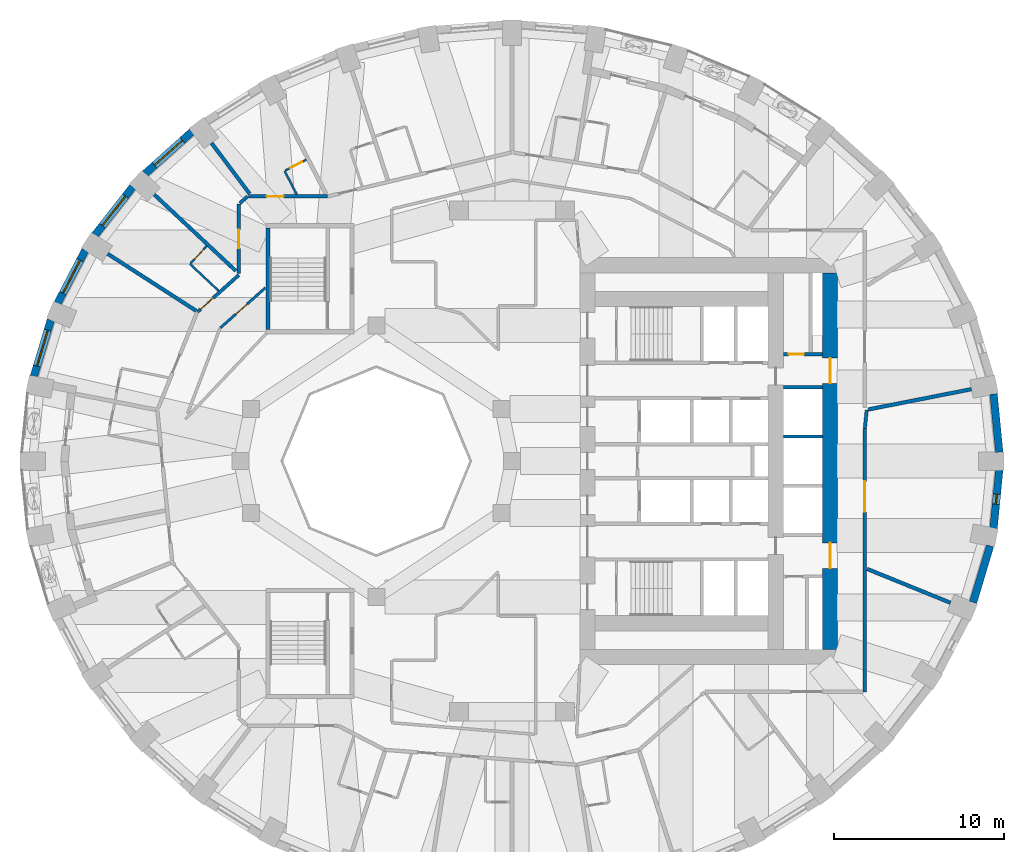
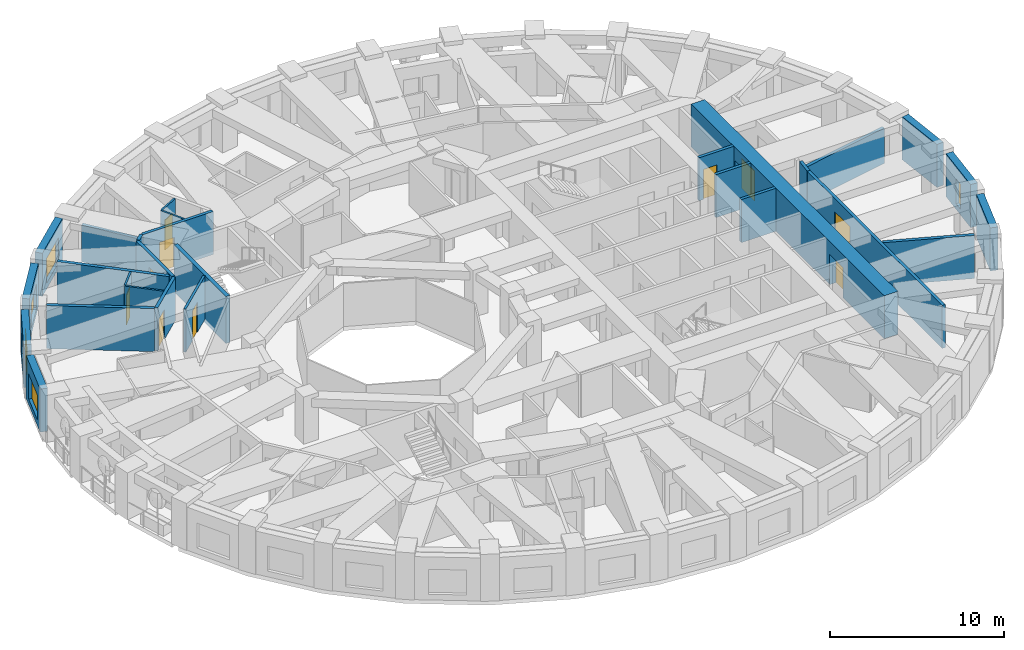
# One storey, part 7 of 13: 28 walls, 10 doors, 5 windows, 15 openings.
"""IFC4 building model written with IfcOpenShell, lengths in metres."""

from ifc_helpers import new_model, si_unit, direction, frame, frame_2d, origin, place, context, subcontext, project, spatial, rectangle, extrude, material, layer, layer_set, type_object, element, fill, save


model = new_model("IFC4")

# Units and contexts
model_context = context("Model", 3, precision=1e-05, world=origin(), true_north=direction((0.0, 1.0)))
body_context = subcontext(model_context, "Body", "Model", "MODEL_VIEW")
ifc_project = project(units=[si_unit("LENGTHUNIT", "METRE"), si_unit("AREAUNIT", "SQUARE_METRE"), si_unit("VOLUMEUNIT", "CUBIC_METRE"), si_unit("PLANEANGLEUNIT", "RADIAN"), si_unit("MASSUNIT", "GRAM", prefix="KILO")], contexts=[model_context])

# Site, building, storey
site_placement = place(None, origin())
site = spatial("IfcSite", under=ifc_project, at=site_placement, CompositionType="ELEMENT")
building_placement = place(site_placement, origin())
building = spatial("IfcBuilding", under=site, at=building_placement, Name="Taillehof Tower", CompositionType="ELEMENT")
storey_placement = place(building_placement, frame((0.0, 0.0, 67.89990234375)))
storey = spatial("IfcBuildingStorey", under=building, at=storey_placement, Name="L18", CompositionType="ELEMENT", Elevation=67.89990234375)

# Wall
ifc_material_1 = material(Name="Brick masonry", Category="masonry")
ifc_layer_1 = layer(ifc_material_1, 0.449951171875)
ifc_layer_set_1 = layer_set([ifc_layer_1], Name="Brick infill wall 450")
wall_type_1 = type_object("IfcWallType", Name="Brick infill wall 450", PredefinedType="SOLIDWALL", material=ifc_layer_set_1)
wall_1_placement = place(storey_placement, frame((28.721923828125, 0.530029296875, 0.0), z_axis=(0.0, 0.0, 1.0), x_axis=(-0.097389581596, 0.995246336038, 0.0)))
element("IfcWall", 1, at=wall_1_placement, inside=storey, type_object=wall_type_1, Name="Brick wall L18 bay 1", PredefinedType="SOLIDWALL", context=body_context, shape_type="SweptSolid", body=[
    extrude(rectangle(XDim=3.44189453125, YDim=0.449951171875, at=frame_2d((1.720947265625, 0.0))), origin(), (0.0, 0.0, 1.0), 3.02001953125),
])

# Wall, opening, window
wall_2_placement = place(storey_placement, frame((-18.87060546875, 19.406982421875, 0.0), z_axis=(0.0, 0.0, 1.0), x_axis=(-0.745526233716, -0.66647628228, 0.0)))
wall_2 = element("IfcWall", 2, at=wall_2_placement, inside=storey, type_object=wall_type_1, Name="Brick wall L18 bay 14", PredefinedType="SOLIDWALL", context=body_context, shape_type="SweptSolid", body=[
    extrude(rectangle(XDim=3.69677734375, YDim=0.449951171875, at=frame_2d((1.848388671875, 0.0))), origin(), (0.0, 0.0, 1.0), 3.02001953125),
])
opening_1_placement = place(wall_2_placement, frame((0.74853515625, 0.0, 0.39990234375)))
opening_1 = element("IfcOpeningElement", 3, at=opening_1_placement, cuts=wall_2, Name="Opening W1", PredefinedType="OPENING", context=body_context, shape_type="SweptSolid", body=[
    extrude(rectangle(XDim=2.199951171875, YDim=1.75, at=frame_2d((1.10009765625, 0.875))), frame((0.0, 0.23486328125, 0.0), z_axis=(0.0, -1.0, 0.0), x_axis=(1.0, 0.0, 0.0)), (0.0, 0.0, 1.0), 0.469970703125),
])
ifc_material_2 = material(Name="Aluminium window frame with clear double glazing", Category="aluminium")
window_type_1 = type_object("IfcWindowType", Name="Deep-set window 2200x1750", PartitioningType="SINGLE_PANEL", PredefinedType="WINDOW", material=ifc_material_2)
window_1_placement = place(opening_1_placement, origin())
window_1 = element("IfcWindow", 4, at=window_1_placement, inside=storey, type_object=window_type_1, Name="W1", OverallHeight=1.75, OverallWidth=2.199951171875, PartitioningType="SINGLE_PANEL", PredefinedType="WINDOW", context=body_context, shape_type="SweptSolid", body=[
    extrude(rectangle(XDim=2.199951171875, YDim=1.75, at=frame_2d((1.10009765625, 0.875))), frame((0.0, 0.034912109375, 0.0), z_axis=(0.0, -1.0, 0.0), x_axis=(1.0, 0.0, 0.0)), (0.0, 0.0, 1.0), 0.06005859375),
])
fill(opening_1, window_1)

wall_3_placement = place(storey_placement, frame((-22.3515625, 16.169677734375, 0.0), z_axis=(0.0, 0.0, 1.0), x_axis=(-0.616661975264, -0.787228053529, 0.0)))
wall_3 = element("IfcWall", 5, at=wall_3_placement, inside=storey, type_object=wall_type_1, Name="Brick wall L18 bay 15", PredefinedType="SOLIDWALL", context=body_context, shape_type="SweptSolid", body=[
    extrude(rectangle(XDim=3.60986328125, YDim=0.449951171875, at=frame_2d((1.804931640625, 0.0))), origin(), (0.0, 0.0, 1.0), 3.02001953125),
])
opening_2_placement = place(wall_3_placement, frame((0.704833984375, 0.0, 0.39990234375)))
opening_2 = element("IfcOpeningElement", 6, at=opening_2_placement, cuts=wall_3, Name="Opening W1", PredefinedType="OPENING", context=body_context, shape_type="SweptSolid", body=[
    extrude(rectangle(XDim=2.199951171875, YDim=1.75, at=frame_2d((1.10009765625, 0.875))), frame((0.0, 0.23486328125, 0.0), z_axis=(0.0, -1.0, 0.0), x_axis=(1.0, 0.0, 0.0)), (0.0, 0.0, 1.0), 0.469970703125),
])
window_2_placement = place(opening_2_placement, origin())
window_2 = element("IfcWindow", 7, at=window_2_placement, inside=storey, type_object=window_type_1, Name="W1", OverallHeight=1.75, OverallWidth=2.199951171875, PartitioningType="SINGLE_PANEL", PredefinedType="WINDOW", context=body_context, shape_type="SweptSolid", body=[
    extrude(rectangle(XDim=2.199951171875, YDim=1.75, at=frame_2d((1.10009765625, 0.875))), frame((0.0, 0.034912109375, 0.0), z_axis=(0.0, -1.0, 0.0), x_axis=(1.0, 0.0, 0.0)), (0.0, 0.0, 1.0), 0.06005859375),
])
fill(opening_2, window_2)

wall_4_placement = place(storey_placement, frame((-25.152099609375, 12.436767578125, 0.0), z_axis=(0.0, 0.0, 1.0), x_axis=(-0.462492775226, -0.886623050041, 0.0)))
wall_4 = element("IfcWall", 8, at=wall_4_placement, inside=storey, type_object=wall_type_1, Name="Brick wall L18 bay 16", PredefinedType="SOLIDWALL", context=body_context, shape_type="SweptSolid", body=[
    extrude(rectangle(XDim=3.531982421875, YDim=0.449951171875, at=frame_2d((1.76611328125, 0.0))), origin(), (0.0, 0.0, 1.0), 3.02001953125),
])
opening_3_placement = place(wall_4_placement, frame((0.666015625, 0.0, 0.39990234375)))
opening_3 = element("IfcOpeningElement", 9, at=opening_3_placement, cuts=wall_4, Name="Opening W1", PredefinedType="OPENING", context=body_context, shape_type="SweptSolid", body=[
    extrude(rectangle(XDim=2.199951171875, YDim=1.75, at=frame_2d((1.10009765625, 0.875))), frame((0.0, 0.23486328125, 0.0), z_axis=(0.0, -1.0, 0.0), x_axis=(1.0, 0.0, 0.0)), (0.0, 0.0, 1.0), 0.469970703125),
])
window_3_placement = place(opening_3_placement, origin())
window_3 = element("IfcWindow", 10, at=window_3_placement, inside=storey, type_object=window_type_1, Name="W1", OverallHeight=1.75, OverallWidth=2.199951171875, PartitioningType="SINGLE_PANEL", PredefinedType="WINDOW", context=body_context, shape_type="SweptSolid", body=[
    extrude(rectangle(XDim=2.199951171875, YDim=1.75, at=frame_2d((1.10009765625, 0.875))), frame((0.0, 0.034912109375, 0.0), z_axis=(0.0, -1.0, 0.0), x_axis=(1.0, 0.0, 0.0)), (0.0, 0.0, 1.0), 0.06005859375),
])
fill(opening_3, window_3)

wall_5_placement = place(storey_placement, frame((-27.184814453125, 8.322998046875, 0.0), z_axis=(0.0, 0.0, 1.0), x_axis=(-0.287064133733, -0.957911364963, 0.0)))
wall_5 = element("IfcWall", 11, at=wall_5_placement, inside=storey, type_object=wall_type_1, Name="Brick wall L18 bay 17", PredefinedType="SOLIDWALL", context=body_context, shape_type="SweptSolid", body=[
    extrude(rectangle(XDim=3.473388671875, YDim=0.449951171875, at=frame_2d((1.73681640625, 0.0))), origin(), (0.0, 0.0, 1.0), 3.02001953125),
])
opening_4_placement = place(wall_5_placement, frame((0.63671875, 0.0, 0.39990234375)))
opening_4 = element("IfcOpeningElement", 12, at=opening_4_placement, cuts=wall_5, Name="Opening W1", PredefinedType="OPENING", context=body_context, shape_type="SweptSolid", body=[
    extrude(rectangle(XDim=2.199951171875, YDim=1.75, at=frame_2d((1.10009765625, 0.875))), frame((0.0, 0.23486328125, 0.0), z_axis=(0.0, -1.0, 0.0), x_axis=(1.0, 0.0, 0.0)), (0.0, 0.0, 1.0), 0.469970703125),
])
window_4_placement = place(opening_4_placement, origin())
window_4 = element("IfcWindow", 13, at=window_4_placement, inside=storey, type_object=window_type_1, Name="W1", OverallHeight=1.75, OverallWidth=2.199951171875, PartitioningType="SINGLE_PANEL", PredefinedType="WINDOW", context=body_context, shape_type="SweptSolid", body=[
    extrude(rectangle(XDim=2.199951171875, YDim=1.75, at=frame_2d((1.10009765625, 0.875))), frame((0.0, 0.034912109375, 0.0), z_axis=(0.0, -1.0, 0.0), x_axis=(1.0, 0.0, 0.0)), (0.0, 0.0, 1.0), 0.06005859375),
])
fill(opening_4, window_4)

# Wall
wall_6_placement = place(storey_placement, frame((27.184814453125, -8.322998046875, 0.0), z_axis=(0.0, 0.0, 1.0), x_axis=(0.287064133733, 0.957911364963, 0.0)))
element("IfcWall", 14, at=wall_6_placement, inside=storey, type_object=wall_type_1, Name="Brick wall L18 bay 35", PredefinedType="SOLIDWALL", context=body_context, shape_type="SweptSolid", body=[
    extrude(rectangle(XDim=3.473388671875, YDim=0.449951171875, at=frame_2d((1.73681640625, 0.0))), origin(), (0.0, 0.0, 1.0), 3.02001953125),
])

# Wall, opening, window
wall_7_placement = place(storey_placement, frame((28.38671875, -3.95556640625, 0.0), z_axis=(0.0, 0.0, 1.0), x_axis=(0.097389581596, 0.995246336038, 0.0)))
wall_7 = element("IfcWall", 15, at=wall_7_placement, inside=storey, type_object=wall_type_1, Name="Brick wall L18 bay 36", PredefinedType="SOLIDWALL", context=body_context, shape_type="SweptSolid", body=[
    extrude(rectangle(XDim=3.44189453125, YDim=0.449951171875, at=frame_2d((1.720947265625, 0.0))), origin(), (0.0, 0.0, 1.0), 3.02001953125),
])
opening_5_placement = place(wall_7_placement, frame((1.4208984375, 0.0, 0.39990234375)))
opening_5 = element("IfcOpeningElement", 16, at=opening_5_placement, cuts=wall_7, Name="Opening W6", PredefinedType="OPENING", context=body_context, shape_type="SweptSolid", body=[
    extrude(rectangle(XDim=0.60009765625, YDim=1.75, at=frame_2d((0.300048828125, 0.875))), frame((0.0, 0.23486328125, 0.0), z_axis=(0.0, -1.0, 0.0), x_axis=(1.0, 0.0, 0.0)), (0.0, 0.0, 1.0), 0.469970703125),
])
ifc_material_3 = material(Name="Aluminium window frame with clear double glazing", Category="aluminium")
window_type_2 = type_object("IfcWindowType", Name="Slot window 600x1750", PartitioningType="SINGLE_PANEL", PredefinedType="WINDOW", material=ifc_material_3)
window_5_placement = place(opening_5_placement, origin())
window_5 = element("IfcWindow", 17, at=window_5_placement, inside=storey, type_object=window_type_2, Name="W6", OverallHeight=1.75, OverallWidth=0.60009765625, PartitioningType="SINGLE_PANEL", PredefinedType="WINDOW", context=body_context, shape_type="SweptSolid", body=[
    extrude(rectangle(XDim=0.60009765625, YDim=1.75, at=frame_2d((0.300048828125, 0.875))), frame((0.0, 0.034912109375, 0.0), z_axis=(0.0, -1.0, 0.0), x_axis=(1.0, 0.0, 0.0)), (0.0, 0.0, 1.0), 0.06005859375),
])
fill(opening_5, window_5)

# Wall, opening, door
ifc_material_4 = material(Name="Calcium silicate masonry", Category="masonry")
ifc_layer_2 = layer(ifc_material_4, 0.199951171875)
ifc_layer_set_2 = layer_set([ifc_layer_2], Name="Compartment wall calcium silicate 200")
wall_type_2 = type_object("IfcWallType", Name="Compartment wall calcium silicate 200", PredefinedType="PARTITIONING", material=ifc_layer_set_2)
wall_8_placement = place(storey_placement, frame((16.0, 6.300048828125, 0.0), z_axis=(0.0, 0.0, 1.0), x_axis=(1.0, 0.0, 0.0)))
wall_8 = element("IfcWall", 18, at=wall_8_placement, inside=storey, type_object=wall_type_2, Name="Compartment wall FW", PredefinedType="PARTITIONING", context=body_context, shape_type="SweptSolid", body=[
    extrude(rectangle(XDim=2.300048828125, YDim=0.199951171875, at=frame_2d((1.14990234375, 0.0))), origin(), (0.0, 0.0, 1.0), 3.02001953125),
])
opening_6_placement = place(wall_8_placement, frame((0.300048828125, 0.0, 0.0)))
opening_6 = element("IfcOpeningElement", 19, at=opening_6_placement, cuts=wall_8, Name="Opening D1816", PredefinedType="OPENING", context=body_context, shape_type="SweptSolid", body=[
    extrude(rectangle(XDim=0.89990234375, YDim=2.10009765625, at=frame_2d((0.449951171875, 1.050048828125))), frame((0.0, 0.10986328125, 0.0), z_axis=(0.0, -1.0, 0.0), x_axis=(1.0, 0.0, 0.0)), (0.0, 0.0, 1.0), 0.219970703125),
])
ifc_material_5 = material(Name="Steel-faced fire door", Category="steel")
door_type_1 = type_object("IfcDoorType", Name="Riser and service room door 900x2100", OperationType="SINGLE_SWING_LEFT", PredefinedType="DOOR", material=ifc_material_5)
door_1_placement = place(opening_6_placement, origin())
door_1 = element("IfcDoor", 20, at=door_1_placement, inside=storey, type_object=door_type_1, Name="Door Pump Room", OperationType="SINGLE_SWING_RIGHT", OverallHeight=2.10009765625, OverallWidth=0.89990234375, PredefinedType="DOOR", context=body_context, shape_type="SweptSolid", body=[
    extrude(rectangle(XDim=0.89990234375, YDim=2.10009765625, at=frame_2d((0.449951171875, 1.050048828125))), frame((0.0, 0.02490234375, 0.0), z_axis=(0.0, -1.0, 0.0), x_axis=(1.0, 0.0, 0.0)), (0.0, 0.0, 1.0), 0.050048828125),
])
fill(opening_6, door_1)

# Wall
ifc_material_6 = material(Name="Gypsum board on steel studs, two layers each side", Category="steel")
ifc_layer_3 = layer(ifc_material_6, 0.199951171875)
ifc_layer_set_3 = layer_set([ifc_layer_3], Name="Compartment wall corridor 200")
wall_type_3 = type_object("IfcWallType", Name="Compartment wall corridor 200", PredefinedType="PARTITIONING", material=ifc_layer_set_3)
wall_9_placement = place(storey_placement, frame((20.906005859375, 3.009521484375, 0.0), z_axis=(0.0, 0.0, 1.0), x_axis=(-0.09782971129, -0.995203169001, 0.0)))
element("IfcWall", 21, at=wall_9_placement, inside=storey, type_object=wall_type_3, Name="Compartment wall", PredefinedType="PARTITIONING", context=body_context, shape_type="SweptSolid", body=[
    extrude(rectangle(XDim=1.0830078125, YDim=0.199951171875, at=frame_2d((0.54150390625, 0.0))), origin(), (0.0, 0.0, 1.0), 3.02001953125),
])

# Wall, opening, door
wall_10_placement = place(storey_placement, frame((20.800048828125, 1.91162109375, 0.0), z_axis=(0.0, 0.0, 1.0), x_axis=(0.0, -1.0, 0.0)))
wall_10 = element("IfcWall", 22, at=wall_10_placement, inside=storey, type_object=wall_type_3, Name="Compartment wall", PredefinedType="PARTITIONING", context=body_context, shape_type="SweptSolid", body=[
    extrude(rectangle(XDim=15.51171875, YDim=0.199951171875, at=frame_2d((7.755859375, 0.0))), origin(), (0.0, 0.0, 1.0), 3.02001953125),
])
opening_7_placement = place(wall_10_placement, frame((3.109619140625, 0.0, 0.0)))
opening_7 = element("IfcOpeningElement", 23, at=opening_7_placement, cuts=wall_10, Name="Opening D1876", PredefinedType="OPENING", context=body_context, shape_type="SweptSolid", body=[
    extrude(rectangle(XDim=1.800048828125, YDim=2.10009765625, at=frame_2d((0.89990234375, 1.050048828125))), frame((0.0, 0.10986328125, 0.0), z_axis=(0.0, -1.0, 0.0), x_axis=(1.0, 0.0, 0.0)), (0.0, 0.0, 1.0), 0.219970703125),
])
ifc_material_7 = material(Name="Timber door leaf in steel frame", Category="steel")
door_type_2 = type_object("IfcDoorType", Name="Lounge and meeting room double door EI 30 1800 x 2100", OperationType="SINGLE_SWING_LEFT", PredefinedType="DOOR", material=ifc_material_7)
door_2_placement = place(opening_7_placement, origin())
door_2 = element("IfcDoor", 24, at=door_2_placement, inside=storey, type_object=door_type_2, Name="D1876", OperationType="DOUBLE_DOOR_SINGLE_SWING", OverallHeight=2.10009765625, OverallWidth=1.800048828125, PredefinedType="DOOR", context=body_context, shape_type="SweptSolid", body=[
    extrude(rectangle(XDim=1.800048828125, YDim=2.10009765625, at=frame_2d((0.89990234375, 1.050048828125))), frame((0.0, 0.02490234375, 0.0), z_axis=(0.0, -1.0, 0.0), x_axis=(1.0, 0.0, 0.0)), (0.0, 0.0, 1.0), 0.050048828125),
])
fill(opening_7, door_2)

wall_11_placement = place(storey_placement, frame((-18.527099609375, 8.8037109375, 0.0), z_axis=(0.0, 0.0, 1.0), x_axis=(0.746493000154, 0.665393267716, 0.0)))
wall_11 = element("IfcWall", 25, at=wall_11_placement, inside=storey, type_object=wall_type_3, Name="Compartment wall", PredefinedType="PARTITIONING", context=body_context, shape_type="SweptSolid", body=[
    extrude(rectangle(XDim=3.251220703125, YDim=0.199951171875, at=frame_2d((1.62548828125, 0.0))), origin(), (0.0, 0.0, 1.0), 3.02001953125),
])
opening_8_placement = place(wall_11_placement, frame((0.219970703125, 0.0, 0.0)))
opening_8 = element("IfcOpeningElement", 26, at=opening_8_placement, cuts=wall_11, Name="Opening D1853", PredefinedType="OPENING", context=body_context, shape_type="SweptSolid", body=[
    extrude(rectangle(XDim=1.0, YDim=2.10009765625, at=frame_2d((0.5, 1.050048828125))), frame((0.0, 0.10986328125, 0.0), z_axis=(0.0, -1.0, 0.0), x_axis=(1.0, 0.0, 0.0)), (0.0, 0.0, 1.0), 0.219970703125),
])
ifc_material_8 = material(Name="Timber door leaf in steel frame", Category="steel")
door_type_3 = type_object("IfcDoorType", Name="Guest room door EI 30 1000 x 2100", OperationType="SINGLE_SWING_LEFT", PredefinedType="DOOR", material=ifc_material_8)
door_3_placement = place(opening_8_placement, origin())
door_3 = element("IfcDoor", 27, at=door_3_placement, inside=storey, type_object=door_type_3, Name="D1853", OperationType="SINGLE_SWING_LEFT", OverallHeight=2.10009765625, OverallWidth=1.0, PredefinedType="DOOR", context=body_context, shape_type="SweptSolid", body=[
    extrude(rectangle(XDim=1.0, YDim=2.10009765625, at=frame_2d((0.5, 1.050048828125))), frame((0.0, 0.02490234375, 0.0), z_axis=(0.0, -1.0, 0.0), x_axis=(1.0, 0.0, 0.0)), (0.0, 0.0, 1.0), 0.050048828125),
])
fill(opening_8, door_3)

wall_12_placement = place(storey_placement, frame((-16.10009765625, 11.047119140625, 0.0), z_axis=(0.0, 0.0, 1.0), x_axis=(0.0, 1.0, 0.0)))
wall_12 = element("IfcWall", 28, at=wall_12_placement, inside=storey, type_object=wall_type_3, Name="Compartment wall", PredefinedType="PARTITIONING", context=body_context, shape_type="SweptSolid", body=[
    extrude(rectangle(XDim=4.096923828125, YDim=0.199951171875, at=frame_2d((2.04833984375, 0.0))), origin(), (0.0, 0.0, 1.0), 3.02001953125),
])
opening_9_placement = place(wall_12_placement, frame((1.49853515625, 0.0, 0.0)))
opening_9 = element("IfcOpeningElement", 29, at=opening_9_placement, cuts=wall_12, Name="Opening D1852", PredefinedType="OPENING", context=body_context, shape_type="SweptSolid", body=[
    extrude(rectangle(XDim=1.10009765625, YDim=2.10009765625, at=frame_2d((0.550048828125, 1.050048828125))), frame((0.0, 0.10986328125, 0.0), z_axis=(0.0, -1.0, 0.0), x_axis=(1.0, 0.0, 0.0)), (0.0, 0.0, 1.0), 0.219970703125),
])
ifc_material_9 = material(Name="Timber door leaf in steel frame", Category="steel")
door_type_4 = type_object("IfcDoorType", Name="Suite entrance door EI 30 1100 x 2100", OperationType="SINGLE_SWING_LEFT", PredefinedType="DOOR", material=ifc_material_9)
door_4_placement = place(opening_9_placement, origin())
door_4 = element("IfcDoor", 30, at=door_4_placement, inside=storey, type_object=door_type_4, Name="D1852", OperationType="SINGLE_SWING_LEFT", OverallHeight=2.10009765625, OverallWidth=1.10009765625, PredefinedType="DOOR", context=body_context, shape_type="SweptSolid", body=[
    extrude(rectangle(XDim=1.10009765625, YDim=2.10009765625, at=frame_2d((0.550048828125, 1.050048828125))), frame((0.0, 0.02490234375, 0.0), z_axis=(0.0, -1.0, 0.0), x_axis=(1.0, 0.0, 0.0)), (0.0, 0.0, 1.0), 0.050048828125),
])
fill(opening_9, door_4)

# Wall
wall_13_placement = place(storey_placement, frame((-16.04052734375, 15.19775390625, 0.0), z_axis=(0.0, 0.0, 1.0), x_axis=(0.744722115519, 0.667374685359, 0.0)))
element("IfcWall", 31, at=wall_13_placement, inside=storey, type_object=wall_type_3, Name="Compartment wall", PredefinedType="PARTITIONING", context=body_context, shape_type="SweptSolid", body=[
    extrude(rectangle(XDim=0.602783203125, YDim=0.199951171875, at=frame_2d((0.30126953125, 0.0))), origin(), (0.0, 0.0, 1.0), 3.02001953125),
])

# Wall, opening, door
wall_14_placement = place(storey_placement, frame((-15.531494140625, 15.60009765625, 0.0), z_axis=(0.0, 0.0, 1.0), x_axis=(1.0, 0.0, 0.0)))
wall_14 = element("IfcWall", 32, at=wall_14_placement, inside=storey, type_object=wall_type_3, Name="Compartment wall", PredefinedType="PARTITIONING", context=body_context, shape_type="SweptSolid", body=[
    extrude(rectangle(XDim=4.660400390625, YDim=0.199951171875, at=frame_2d((2.330078125, 0.0))), origin(), (0.0, 0.0, 1.0), 3.02001953125),
])
opening_10_placement = place(wall_14_placement, frame((1.07421875, 0.0, 0.0)))
opening_10 = element("IfcOpeningElement", 33, at=opening_10_placement, cuts=wall_14, Name="Opening D1850", PredefinedType="OPENING", context=body_context, shape_type="SweptSolid", body=[
    extrude(rectangle(XDim=1.0, YDim=2.10009765625, at=frame_2d((0.5, 1.050048828125))), frame((0.0, 0.10986328125, 0.0), z_axis=(0.0, -1.0, 0.0), x_axis=(1.0, 0.0, 0.0)), (0.0, 0.0, 1.0), 0.219970703125),
])
door_5_placement = place(opening_10_placement, origin())
door_5 = element("IfcDoor", 34, at=door_5_placement, inside=storey, type_object=door_type_3, Name="D1850", OperationType="SINGLE_SWING_RIGHT", OverallHeight=2.10009765625, OverallWidth=1.0, PredefinedType="DOOR", context=body_context, shape_type="SweptSolid", body=[
    extrude(rectangle(XDim=1.0, YDim=2.10009765625, at=frame_2d((0.5, 1.050048828125))), frame((0.0, 0.02490234375, 0.0), z_axis=(0.0, -1.0, 0.0), x_axis=(1.0, 0.0, 0.0)), (0.0, 0.0, 1.0), 0.050048828125),
])
fill(opening_10, door_5)

# Walls
ifc_material_10 = material(Name="Gypsum board on double steel studs with mineral wool", Category="steel")
ifc_layer_4 = layer(ifc_material_10, 0.219970703125)
ifc_layer_set_4 = layer_set([ifc_layer_4], Name="Compartment wall guest room 220")
wall_type_4 = type_object("IfcWallType", Name="Compartment wall guest room 220", PredefinedType="PARTITIONING", material=ifc_layer_set_4)
wall_15_placement = place(storey_placement, frame((27.0849609375, 4.239990234375, 0.0), z_axis=(0.0, 0.0, 1.0), x_axis=(-0.981208260902, -0.192951674616, 0.0)))
element("IfcWall", 35, at=wall_15_placement, inside=storey, type_object=wall_type_4, Name="Compartment wall", PredefinedType="PARTITIONING", context=body_context, shape_type="SweptSolid", body=[
    extrude(rectangle(XDim=6.203857421875, YDim=0.219970703125, at=frame_2d((3.10205078125, 0.0))), origin(), (0.0, 0.0, 1.0), 2.47021484375),
])
wall_16_placement = place(storey_placement, frame((-17.707763671875, 18.7431640625, 0.0), z_axis=(0.0, 0.0, 1.0), x_axis=(0.601172757903, -0.799119086967, 0.0)))
element("IfcWall", 36, at=wall_16_placement, inside=storey, type_object=wall_type_4, Name="Compartment wall", PredefinedType="PARTITIONING", context=body_context, shape_type="SweptSolid", body=[
    extrude(rectangle(XDim=3.728515625, YDim=0.219970703125, at=frame_2d((1.8642578125, 0.0))), origin(), (0.0, 0.0, 1.0), 2.570068359375),
])
wall_17_placement = place(storey_placement, frame((-21.09326171875, 15.7177734375, 0.0), z_axis=(0.0, 0.0, 1.0), x_axis=(0.73009284205, -0.683347965525, 0.0)))
element("IfcWall", 37, at=wall_17_placement, inside=storey, type_object=wall_type_4, Name="Compartment wall", PredefinedType="PARTITIONING", context=body_context, shape_type="SweptSolid", body=[
    extrude(rectangle(XDim=6.6015625, YDim=0.219970703125, at=frame_2d((3.30078125, 0.0))), origin(), (0.0, 0.0, 1.0), 3.02001953125),
])
wall_18_placement = place(storey_placement, frame((-23.834716796875, 12.218994140625, 0.0), z_axis=(0.0, 0.0, 1.0), x_axis=(0.840743714791, -0.541433288633, 0.0)))
element("IfcWall", 38, at=wall_18_placement, inside=storey, type_object=wall_type_4, Name="Compartment wall", PredefinedType="PARTITIONING", context=body_context, shape_type="SweptSolid", body=[
    extrude(rectangle(XDim=6.207275390625, YDim=0.219970703125, at=frame_2d((3.103515625, 0.0))), origin(), (0.0, 0.0, 1.0), 3.02001953125),
])
wall_19_placement = place(storey_placement, frame((25.851318359375, -8.35400390625, 0.0), z_axis=(0.0, 0.0, 1.0), x_axis=(-0.926546814299, 0.376179479653, 0.0)))
element("IfcWall", 39, at=wall_19_placement, inside=storey, type_object=wall_type_4, Name="Compartment wall", PredefinedType="PARTITIONING", context=body_context, shape_type="SweptSolid", body=[
    extrude(rectangle(XDim=5.3037109375, YDim=0.219970703125, at=frame_2d((2.65185546875, 0.0))), origin(), (0.0, 0.0, 1.0), 3.02001953125),
])

# Wall, opening, door
ifc_material_11 = material(Name="Gypsum board on steel studs, two layers each side", Category="steel")
ifc_layer_5 = layer(ifc_material_11, 0.14990234375)
ifc_layer_set_5 = layer_set([ifc_layer_5], Name="Compartment wall service room 150")
wall_type_5 = type_object("IfcWallType", Name="Compartment wall service room 150", PredefinedType="PARTITIONING", material=ifc_layer_set_5)
wall_20_placement = place(storey_placement, frame((-17.185302734375, 7.8564453125, 0.0), z_axis=(0.0, 0.0, 1.0), x_axis=(0.746480516634, 0.665407272493, 0.0)))
wall_20 = element("IfcWall", 40, at=wall_20_placement, inside=storey, type_object=wall_type_5, Name="Compartment wall", PredefinedType="PARTITIONING", context=body_context, shape_type="SweptSolid", body=[
    extrude(rectangle(XDim=3.541259765625, YDim=0.14990234375, at=frame_2d((1.7705078125, 0.0))), origin(), (0.0, 0.0, 1.0), 3.02001953125),
])
opening_11_placement = place(wall_20_placement, frame((1.220703125, 0.0, 0.0)))
opening_11 = element("IfcOpeningElement", 41, at=opening_11_placement, cuts=wall_20, Name="Opening D1880", PredefinedType="OPENING", context=body_context, shape_type="SweptSolid", body=[
    extrude(rectangle(XDim=0.89990234375, YDim=2.10009765625, at=frame_2d((0.449951171875, 1.050048828125))), frame((0.0, 0.0849609375, 0.0), z_axis=(0.0, -1.0, 0.0), x_axis=(1.0, 0.0, 0.0)), (0.0, 0.0, 1.0), 0.169921875),
])
ifc_material_12 = material(Name="Timber door leaf in steel frame", Category="steel")
door_type_5 = type_object("IfcDoorType", Name="Service room door EI 30 900 x 2100", OperationType="SINGLE_SWING_LEFT", PredefinedType="DOOR", material=ifc_material_12)
door_6_placement = place(opening_11_placement, origin())
door_6 = element("IfcDoor", 42, at=door_6_placement, inside=storey, type_object=door_type_5, Name="D1880", OperationType="SINGLE_SWING_RIGHT", OverallHeight=2.10009765625, OverallWidth=0.89990234375, PredefinedType="DOOR", context=body_context, shape_type="SweptSolid", body=[
    extrude(rectangle(XDim=0.89990234375, YDim=2.10009765625, at=frame_2d((0.449951171875, 1.050048828125))), frame((0.0, 0.02490234375, 0.0), z_axis=(0.0, -1.0, 0.0), x_axis=(1.0, 0.0, 0.0)), (0.0, 0.0, 1.0), 0.050048828125),
])
fill(opening_11, door_6)

# Wall, openings, doors
ifc_material_13 = material(Name="Concrete C80/95", Category="concrete")
ifc_layer_6 = layer(ifc_material_13, 0.89990234375)
ifc_layer_set_6 = layer_set([ifc_layer_6], Name="Core wall C80/95 900")
wall_type_6 = type_object("IfcWallType", Name="Core wall C80/95 900", PredefinedType="SHEAR", material=ifc_layer_set_6)
wall_21_placement = place(storey_placement, frame((18.75, -11.10009765625, 0.0), z_axis=(0.0, 0.0, 1.0), x_axis=(0.0, 1.0, 0.0)))
wall_21 = element("IfcWall", 43, at=wall_21_placement, inside=storey, type_object=wall_type_6, Name="Core wall CW02", PredefinedType="SHEAR", context=body_context, shape_type="SweptSolid", body=[
    extrude(rectangle(XDim=22.2001953125, YDim=0.89990234375, at=frame_2d((11.10009765625, 0.0))), origin(), (0.0, 0.0, 1.0), 3.02001953125),
])
opening_12_placement = place(wall_21_placement, frame((15.675048828125, 0.0, 0.0)))
opening_12 = element("IfcOpeningElement", 44, at=opening_12_placement, cuts=wall_21, Name="Opening D1808", PredefinedType="OPENING", context=body_context, shape_type="SweptSolid", body=[
    extrude(rectangle(XDim=1.5, YDim=2.10009765625, at=frame_2d((0.75, 1.050048828125))), frame((0.0, 0.4599609375, 0.0), z_axis=(0.0, -1.0, 0.0), x_axis=(1.0, 0.0, 0.0)), (0.0, 0.0, 1.0), 0.919921875),
])
opening_13_placement = place(wall_21_placement, frame((4.77490234375, 0.0, 0.0)))
opening_13 = element("IfcOpeningElement", 45, at=opening_13_placement, cuts=wall_21, Name="Opening D1809", PredefinedType="OPENING", context=body_context, shape_type="SweptSolid", body=[
    extrude(rectangle(XDim=1.5, YDim=2.10009765625, at=frame_2d((0.75, 1.050048828125))), frame((0.0, 0.4599609375, 0.0), z_axis=(0.0, -1.0, 0.0), x_axis=(1.0, 0.0, 0.0)), (0.0, 0.0, 1.0), 0.919921875),
])
ifc_material_14 = material(Name="Steel-faced fire door", Category="steel")
door_type_6 = type_object("IfcDoorType", Name="Lift lobby east door 1500x2100", OperationType="DOUBLE_DOOR_SINGLE_SWING", PredefinedType="DOOR", material=ifc_material_14)
door_7_placement = place(opening_12_placement, origin())
door_7 = element("IfcDoor", 46, at=door_7_placement, inside=storey, type_object=door_type_6, Name="Lift lobby east door north", OperationType="DOUBLE_DOOR_SINGLE_SWING", OverallHeight=2.10009765625, OverallWidth=1.5, PredefinedType="DOOR", context=body_context, shape_type="SweptSolid", body=[
    extrude(rectangle(XDim=1.5, YDim=2.10009765625, at=frame_2d((0.75, 1.050048828125))), frame((0.0, 0.02490234375, 0.0), z_axis=(0.0, -1.0, 0.0), x_axis=(1.0, 0.0, 0.0)), (0.0, 0.0, 1.0), 0.050048828125),
])
fill(opening_12, door_7)
door_8_placement = place(opening_13_placement, origin())
door_8 = element("IfcDoor", 47, at=door_8_placement, inside=storey, type_object=door_type_6, Name="Lift lobby east door south", OperationType="DOUBLE_DOOR_SINGLE_SWING", OverallHeight=2.10009765625, OverallWidth=1.5, PredefinedType="DOOR", context=body_context, shape_type="SweptSolid", body=[
    extrude(rectangle(XDim=1.5, YDim=2.10009765625, at=frame_2d((0.75, 1.050048828125))), frame((0.0, 0.02490234375, 0.0), z_axis=(0.0, -1.0, 0.0), x_axis=(1.0, 0.0, 0.0)), (0.0, 0.0, 1.0), 0.050048828125),
])
fill(opening_13, door_8)

# Walls
ifc_material_15 = material(Name="Gypsum board on steel studs, moisture resistant", Category="steel")
ifc_layer_7 = layer(ifc_material_15, 0.1201171875)
ifc_layer_set_7 = layer_set([ifc_layer_7], Name="En-suite wall 120")
wall_type_7 = type_object("IfcWallType", Name="En-suite wall 120", PredefinedType="PARTITIONING", material=ifc_layer_set_7)
wall_22_placement = place(storey_placement, frame((-12.687255859375, 15.718017578125, 0.0), z_axis=(0.0, 0.0, 1.0), x_axis=(-0.459775159711, 0.888035361071, 0.0)))
element("IfcWall", 48, at=wall_22_placement, inside=storey, type_object=wall_type_7, Name="En-suite wall", PredefinedType="PARTITIONING", context=body_context, shape_type="SweptSolid", body=[
    extrude(rectangle(XDim=1.56494140625, YDim=0.1201171875, at=frame_2d((0.782470703125, 0.0))), origin(), (0.0, 0.0, 1.0), 3.02001953125),
])
wall_23_placement = place(storey_placement, frame((-17.292724609375, 10.037841796875, 0.0), z_axis=(0.0, 0.0, 1.0), x_axis=(-0.730059424734, 0.683383667026, 0.0)))
element("IfcWall", 49, at=wall_23_placement, inside=storey, type_object=wall_type_7, Name="En-suite wall", PredefinedType="PARTITIONING", context=body_context, shape_type="SweptSolid", body=[
    extrude(rectangle(XDim=2.317138671875, YDim=0.1201171875, at=frame_2d((1.15869140625, 0.0))), origin(), (0.0, 0.0, 1.0), 3.02001953125),
])

# Wall, opening, door
wall_24_placement = place(storey_placement, frame((-13.353271484375, 17.135498046875, 0.0), z_axis=(0.0, 0.0, 1.0), x_axis=(0.888075681402, 0.459697274413, 0.0)))
wall_24 = element("IfcWall", 50, at=wall_24_placement, inside=storey, type_object=wall_type_7, Name="En-suite wall", PredefinedType="PARTITIONING", context=body_context, shape_type="SweptSolid", body=[
    extrude(rectangle(XDim=1.3798828125, YDim=0.1201171875, at=frame_2d((0.68994140625, 0.0))), origin(), (0.0, 0.0, 1.0), 3.02001953125),
])
opening_14_placement = place(wall_24_placement, frame((0.314697265625, 0.0, 0.0)))
opening_14 = element("IfcOpeningElement", 51, at=opening_14_placement, cuts=wall_24, Name="Opening D1851", PredefinedType="OPENING", context=body_context, shape_type="SweptSolid", body=[
    extrude(rectangle(XDim=0.800048828125, YDim=2.10009765625, at=frame_2d((0.39990234375, 1.050048828125))), frame((0.0, 0.070068359375, 0.0), z_axis=(0.0, -1.0, 0.0), x_axis=(1.0, 0.0, 0.0)), (0.0, 0.0, 1.0), 0.14013671875),
])
ifc_material_16 = material(Name="Timber door leaf in steel frame", Category="steel")
door_type_7 = type_object("IfcDoorType", Name="En-suite door 800 x 2100", OperationType="SINGLE_SWING_LEFT", PredefinedType="DOOR", material=ifc_material_16)
door_9_placement = place(opening_14_placement, origin())
door_9 = element("IfcDoor", 52, at=door_9_placement, inside=storey, type_object=door_type_7, Name="D1851", OperationType="SINGLE_SWING_RIGHT", OverallHeight=2.10009765625, OverallWidth=0.800048828125, PredefinedType="DOOR", context=body_context, shape_type="SweptSolid", body=[
    extrude(rectangle(XDim=0.800048828125, YDim=2.10009765625, at=frame_2d((0.39990234375, 1.050048828125))), frame((0.0, 0.02490234375, 0.0), z_axis=(0.0, -1.0, 0.0), x_axis=(1.0, 0.0, 0.0)), (0.0, 0.0, 1.0), 0.050048828125),
])
fill(opening_14, door_9)

wall_25_placement = place(storey_placement, frame((-18.943359375, 11.665283203125, 0.0), z_axis=(0.0, 0.0, 1.0), x_axis=(0.683364094355, 0.730077745549, 0.0)))
wall_25 = element("IfcWall", 53, at=wall_25_placement, inside=storey, type_object=wall_type_7, Name="En-suite wall", PredefinedType="PARTITIONING", context=body_context, shape_type="SweptSolid", body=[
    extrude(rectangle(XDim=1.379638671875, YDim=0.1201171875, at=frame_2d((0.68994140625, 0.0))), origin(), (0.0, 0.0, 1.0), 3.02001953125),
])
opening_15_placement = place(wall_25_placement, frame((0.31494140625, 0.0, 0.0)))
opening_15 = element("IfcOpeningElement", 54, at=opening_15_placement, cuts=wall_25, Name="Opening D1854", PredefinedType="OPENING", context=body_context, shape_type="SweptSolid", body=[
    extrude(rectangle(XDim=0.800048828125, YDim=2.10009765625, at=frame_2d((0.39990234375, 1.050048828125))), frame((0.0, 0.070068359375, 0.0), z_axis=(0.0, -1.0, 0.0), x_axis=(1.0, 0.0, 0.0)), (0.0, 0.0, 1.0), 0.14013671875),
])
door_10_placement = place(opening_15_placement, origin())
door_10 = element("IfcDoor", 55, at=door_10_placement, inside=storey, type_object=door_type_7, Name="D1854", OperationType="SINGLE_SWING_LEFT", OverallHeight=2.10009765625, OverallWidth=0.800048828125, PredefinedType="DOOR", context=body_context, shape_type="SweptSolid", body=[
    extrude(rectangle(XDim=0.800048828125, YDim=2.10009765625, at=frame_2d((0.39990234375, 1.050048828125))), frame((0.0, 0.02490234375, 0.0), z_axis=(0.0, -1.0, 0.0), x_axis=(1.0, 0.0, 0.0)), (0.0, 0.0, 1.0), 0.050048828125),
])
fill(opening_15, door_10)

# Walls
ifc_material_17 = material(Name="Concrete C50/60", Category="concrete")
ifc_layer_8 = layer(ifc_material_17, 0.199951171875)
ifc_layer_set_8 = layer_set([ifc_layer_8], Name="Shaft wall C50/60 200")
wall_type_8 = type_object("IfcWallType", Name="Shaft wall C50/60 200", PredefinedType="SHEAR", material=ifc_layer_set_8)
for number, where, z_axis, x_axis, name in (
    (56, (16.0, 1.449951171875, 0.0), (0.0, 0.0, 1.0), (1.0, 0.0, 0.0), "Shaft wall SW"),
    (57, (16.0, 4.35009765625, 0.0), (0.0, 0.0, 1.0), (1.0, 0.0, 0.0), "Shaft wall SW"),
):
    element("IfcWall", number, at=place(storey_placement, frame(where, z_axis=z_axis, x_axis=x_axis)), inside=storey, type_object=wall_type_8, Name=name, PredefinedType="SHEAR", context=body_context, shape_type="SweptSolid", body=[
        extrude(rectangle(XDim=2.300048828125, YDim=0.199951171875, at=frame_2d((1.14990234375, 0.0))), origin(), (0.0, 0.0, 1.0), 3.02001953125),
    ])
ifc_material_18 = material(Name="Concrete C50/60", Category="concrete")
ifc_layer_9 = layer(ifc_material_18, 0.25)
ifc_layer_set_9 = layer_set([ifc_layer_9], Name="Stair wall C50/60 250")
wall_type_9 = type_object("IfcWallType", Name="Stair wall C50/60 250", PredefinedType="SHEAR", material=ifc_layer_set_9)
wall_26_placement = place(storey_placement, frame((-14.375, 7.75, -0.27978515625), z_axis=(0.0, 0.0, 1.0), x_axis=(0.0, 1.0, 0.0)))
element("IfcWall", 58, at=wall_26_placement, inside=storey, type_object=wall_type_9, Name="Stair wall SC", PredefinedType="SHEAR", context=body_context, shape_type="SweptSolid", body=[
    extrude(rectangle(XDim=6.0, YDim=0.25, at=frame_2d((3.0, 0.0))), origin(), (0.0, 0.0, 1.0), 3.2998046875),
])

save(model, "model.ifc")
